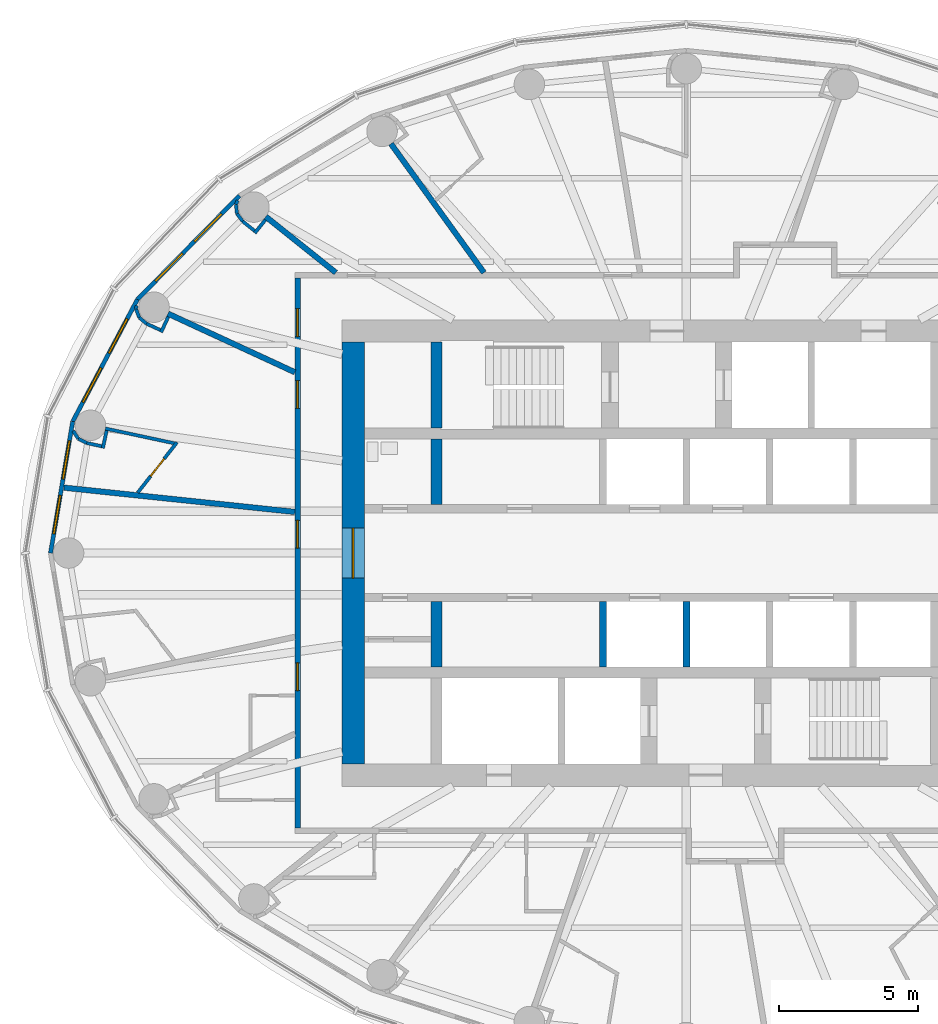
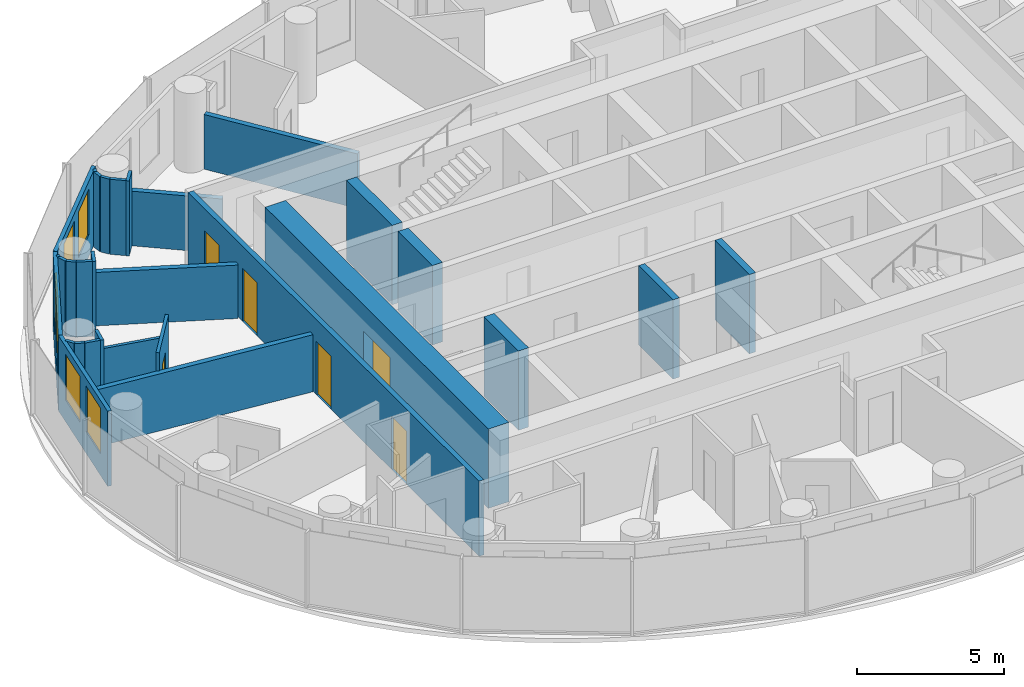
# One storey, part 8 of 14: 30 walls, 6 doors, 6 windows, 12 openings.
"""IFC4 building model written with IfcOpenShell, lengths in metres."""

from ifc_helpers import new_model, si_unit, direction, frame, frame_2d, origin, place, context, subcontext, project, spatial, rectangle, extrude, material, layer, layer_set, type_object, element, fill, save


model = new_model("IFC4")

# Units and contexts
model_context = context("Model", 3, precision=1e-05, world=origin(), true_north=direction((0.0, 1.0)))
body_context = subcontext(model_context, "Body", "Model", "MODEL_VIEW")
ifc_project = project(units=[si_unit("LENGTHUNIT", "METRE"), si_unit("AREAUNIT", "SQUARE_METRE"), si_unit("VOLUMEUNIT", "CUBIC_METRE"), si_unit("PLANEANGLEUNIT", "RADIAN"), si_unit("MASSUNIT", "GRAM", prefix="KILO")], contexts=[model_context])

# Site, building, storey
site_placement = place(None, origin())
site = spatial("IfcSite", under=ifc_project, at=site_placement, CompositionType="ELEMENT")
building_placement = place(site_placement, origin())
building = spatial("IfcBuilding", under=site, at=building_placement, Name="Hankou Lantern Tower", CompositionType="ELEMENT")
storey_placement = place(building_placement, frame((0.0, 0.0, 179.699951171875)))
storey = spatial("IfcBuildingStorey", under=building, at=storey_placement, Name="L48", CompositionType="ELEMENT", Elevation=179.699951171875)

# Wall, opening, door
ifc_material_1 = material(Name="Concrete C60", Category="concrete")
ifc_layer_1 = layer(ifc_material_1, 0.800048828125)
ifc_layer_set_1 = layer_set([ifc_layer_1], Name="Concrete C60")
wall_type_1 = type_object("IfcWallType", Name="CW2 CORE WALL 800", PredefinedType="SHEAR", material=ifc_layer_set_1)
wall_1_placement = place(storey_placement, frame((-12.0, 7.60009765625, 0.0), z_axis=(0.0, 0.0, 1.0), x_axis=(0.0, -1.0, 0.0)))
wall_1 = element("IfcWall", 1, at=wall_1_placement, inside=storey, type_object=wall_type_1, Name="Core wall west L48", PredefinedType="SHEAR", context=body_context, shape_type="SweptSolid", body=[
    extrude(rectangle(XDim=15.2001953125, YDim=0.800048828125, at=frame_2d((7.60009765625, 0.0))), origin(), (0.0, 0.0, 1.0), 3.300048828125),
])
opening_1_placement = place(wall_1_placement, frame((6.699951171875, 0.0, 0.0)))
opening_1 = element("IfcOpeningElement", 2, at=opening_1_placement, cuts=wall_1, Name="Opening D6", PredefinedType="OPENING", context=body_context, shape_type="SweptSolid", body=[
    extrude(rectangle(XDim=1.800048828125, YDim=2.199951171875, at=frame_2d((0.89990234375, 1.10009765625))), frame((0.0, 0.409912109375, 0.0), z_axis=(0.0, -1.0, 0.0), x_axis=(1.0, 0.0, 0.0)), (0.0, 0.0, 1.0), 0.820068359375),
])
ifc_material_2 = material(Name="Steel door leaf", Category="steel")
door_type_1 = type_object("IfcDoorType", Name="D6 LIFT LOBBY DOOR 1800X2200", OperationType="DOUBLE_DOOR_DOUBLE_SWING", PredefinedType="DOOR", material=ifc_material_2)
door_1_placement = place(opening_1_placement, origin())
door_1 = element("IfcDoor", 3, at=door_1_placement, inside=storey, type_object=door_type_1, Name="Lift lobby west door", OperationType="DOUBLE_DOOR_DOUBLE_SWING", OverallHeight=2.199951171875, OverallWidth=1.800048828125, PredefinedType="DOOR", context=body_context, shape_type="SweptSolid", body=[
    extrude(rectangle(XDim=1.800048828125, YDim=2.199951171875, at=frame_2d((0.89990234375, 1.10009765625))), frame((0.0, 0.02490234375, 0.0), z_axis=(0.0, -1.0, 0.0), x_axis=(1.0, 0.0, 0.0)), (0.0, 0.0, 1.0), 0.050048828125),
])
fill(opening_1, door_1)

# Walls
ifc_material_3 = material(Name="Concrete C60", Category="concrete")
ifc_layer_2 = layer(ifc_material_3, 0.39990234375)
ifc_layer_set_2 = layer_set([ifc_layer_2], Name="Concrete C60")
wall_type_2 = type_object("IfcWallType", Name="CW4 CORE CROSS WALL 400", PredefinedType="SHEAR", material=ifc_layer_set_2)
wall_2_placement = place(storey_placement, frame((-9.0, 4.5, 0.0), z_axis=(0.0, 0.0, 1.0), x_axis=(0.0, 1.0, 0.0)))
element("IfcWall", 4, at=wall_2_placement, inside=storey, type_object=wall_type_2, Name="Core strip wall L48", PredefinedType="SHEAR", context=body_context, shape_type="SweptSolid", body=[
    extrude(rectangle(XDim=3.10009765625, YDim=0.39990234375, at=frame_2d((1.550048828125, 0.0))), origin(), (0.0, 0.0, 1.0), 3.300048828125),
])
for number, where, z_axis, x_axis, name in (
    (5, (-9.0, 1.75, 0.0), (0.0, 0.0, 1.0), (0.0, 1.0, 0.0), "Core strip wall L48"),
    (6, (-9.0, -4.10009765625, 0.0), (0.0, 0.0, 1.0), (0.0, 1.0, 0.0), "Core strip wall L48"),
):
    element("IfcWall", number, at=place(storey_placement, frame(where, z_axis=z_axis, x_axis=x_axis)), inside=storey, type_object=wall_type_2, Name=name, PredefinedType="SHEAR", context=body_context, shape_type="SweptSolid", body=[
        extrude(rectangle(XDim=2.35009765625, YDim=0.39990234375, at=frame_2d((1.175048828125, 0.0))), origin(), (0.0, 0.0, 1.0), 3.300048828125),
    ])

# Wall, openings, windows
ifc_material_4 = material(Name="Aluminium spandrel panel on steel studs", Category="steel")
ifc_layer_3 = layer(ifc_material_4, 0.14990234375)
ifc_layer_set_3 = layer_set([ifc_layer_3], Name="Aluminium spandrel panel on steel studs")
wall_type_3 = type_object("IfcWallType", Name="EW1 INNER SKIN WALL 150", PredefinedType="ELEMENTEDWALL", material=ifc_layer_set_3)
wall_3_placement = place(storey_placement, frame((-16.0947265625, 12.875732421875, 0.0), z_axis=(0.0, 0.0, 1.0), x_axis=(-0.700727467776, -0.71342905457, 0.0)))
wall_3 = element("IfcWall", 7, at=wall_3_placement, inside=storey, type_object=wall_type_3, Name="Inner skin R10-R11 L48", PredefinedType="ELEMENTEDWALL", context=body_context, shape_type="SweptSolid", body=[
    extrude(rectangle(XDim=5.247314453125, YDim=0.14990234375, at=frame_2d((2.62353515625, 0.0))), origin(), (0.0, 0.0, 1.0), 3.1201171875),
])
opening_2_placement = place(wall_3_placement, frame((0.923583984375, 0.0, 0.89990234375)))
opening_2 = element("IfcOpeningElement", 8, at=opening_2_placement, cuts=wall_3, Name="Opening W3", PredefinedType="OPENING", context=body_context, shape_type="SweptSolid", body=[
    extrude(rectangle(XDim=1.39990234375, YDim=1.89990234375, at=frame_2d((0.699951171875, 0.949951171875))), frame((0.0, 0.0849609375, 0.0), z_axis=(0.0, -1.0, 0.0), x_axis=(1.0, 0.0, 0.0)), (0.0, 0.0, 1.0), 0.169921875),
])
opening_3_placement = place(wall_3_placement, frame((2.923583984375, 0.0, 0.89990234375)))
opening_3 = element("IfcOpeningElement", 9, at=opening_3_placement, cuts=wall_3, Name="Opening W3", PredefinedType="OPENING", context=body_context, shape_type="SweptSolid", body=[
    extrude(rectangle(XDim=1.39990234375, YDim=1.89990234375, at=frame_2d((0.699951171875, 0.949951171875))), frame((0.0, 0.0849609375, 0.0), z_axis=(0.0, -1.0, 0.0), x_axis=(1.0, 0.0, 0.0)), (0.0, 0.0, 1.0), 0.169921875),
])
ifc_material_5 = material(Name="Aluminium framed double glazed window", Category="aluminium")
window_type = type_object("IfcWindowType", Name="W3 GUEST ROOM WINDOW 1400X1900", PartitioningType="DOUBLE_PANEL_VERTICAL", PredefinedType="WINDOW", material=ifc_material_5)
window_1_placement = place(opening_2_placement, origin())
window_1 = element("IfcWindow", 10, at=window_1_placement, inside=storey, type_object=window_type, Name="Window R10.1 L48", OverallHeight=1.89990234375, OverallWidth=1.39990234375, PartitioningType="SINGLE_PANEL", PredefinedType="WINDOW", context=body_context, shape_type="SweptSolid", body=[
    extrude(rectangle(XDim=1.39990234375, YDim=1.89990234375, at=frame_2d((0.699951171875, 0.949951171875))), frame((0.0, 0.030029296875, 0.0), z_axis=(0.0, -1.0, 0.0), x_axis=(1.0, 0.0, 0.0)), (0.0, 0.0, 1.0), 0.06005859375),
])
fill(opening_2, window_1)
window_2_placement = place(opening_3_placement, origin())
window_2 = element("IfcWindow", 11, at=window_2_placement, inside=storey, type_object=window_type, Name="Window R10.2 L48", OverallHeight=1.89990234375, OverallWidth=1.39990234375, PartitioningType="SINGLE_PANEL", PredefinedType="WINDOW", context=body_context, shape_type="SweptSolid", body=[
    extrude(rectangle(XDim=1.39990234375, YDim=1.89990234375, at=frame_2d((0.699951171875, 0.949951171875))), frame((0.0, 0.030029296875, 0.0), z_axis=(0.0, -1.0, 0.0), x_axis=(1.0, 0.0, 0.0)), (0.0, 0.0, 1.0), 0.06005859375),
])
fill(opening_3, window_2)

wall_4_placement = place(storey_placement, frame((-19.771728515625, 9.132080078125, 0.0), z_axis=(0.0, 0.0, 1.0), x_axis=(-0.468428906714, -0.883501193748, 0.0)))
wall_4 = element("IfcWall", 12, at=wall_4_placement, inside=storey, type_object=wall_type_3, Name="Inner skin R11-R12 L48", PredefinedType="ELEMENTEDWALL", context=body_context, shape_type="SweptSolid", body=[
    extrude(rectangle(XDim=4.9736328125, YDim=0.14990234375, at=frame_2d((2.48681640625, 0.0))), origin(), (0.0, 0.0, 1.0), 3.1201171875),
])
opening_4_placement = place(wall_4_placement, frame((0.786865234375, 0.0, 0.89990234375)))
opening_4 = element("IfcOpeningElement", 13, at=opening_4_placement, cuts=wall_4, Name="Opening W3", PredefinedType="OPENING", context=body_context, shape_type="SweptSolid", body=[
    extrude(rectangle(XDim=1.39990234375, YDim=1.89990234375, at=frame_2d((0.699951171875, 0.949951171875))), frame((0.0, 0.0849609375, 0.0), z_axis=(0.0, -1.0, 0.0), x_axis=(1.0, 0.0, 0.0)), (0.0, 0.0, 1.0), 0.169921875),
])
opening_5_placement = place(wall_4_placement, frame((2.786865234375, 0.0, 0.89990234375)))
opening_5 = element("IfcOpeningElement", 14, at=opening_5_placement, cuts=wall_4, Name="Opening W3", PredefinedType="OPENING", context=body_context, shape_type="SweptSolid", body=[
    extrude(rectangle(XDim=1.39990234375, YDim=1.89990234375, at=frame_2d((0.699951171875, 0.949951171875))), frame((0.0, 0.0849609375, 0.0), z_axis=(0.0, -1.0, 0.0), x_axis=(1.0, 0.0, 0.0)), (0.0, 0.0, 1.0), 0.169921875),
])
window_3_placement = place(opening_4_placement, origin())
window_3 = element("IfcWindow", 15, at=window_3_placement, inside=storey, type_object=window_type, Name="Window R11.1 L48", OverallHeight=1.89990234375, OverallWidth=1.39990234375, PartitioningType="SINGLE_PANEL", PredefinedType="WINDOW", context=body_context, shape_type="SweptSolid", body=[
    extrude(rectangle(XDim=1.39990234375, YDim=1.89990234375, at=frame_2d((0.699951171875, 0.949951171875))), frame((0.0, 0.030029296875, 0.0), z_axis=(0.0, -1.0, 0.0), x_axis=(1.0, 0.0, 0.0)), (0.0, 0.0, 1.0), 0.06005859375),
])
fill(opening_4, window_3)
window_4_placement = place(opening_5_placement, origin())
window_4 = element("IfcWindow", 16, at=window_4_placement, inside=storey, type_object=window_type, Name="Window R11.2 L48", OverallHeight=1.89990234375, OverallWidth=1.39990234375, PartitioningType="SINGLE_PANEL", PredefinedType="WINDOW", context=body_context, shape_type="SweptSolid", body=[
    extrude(rectangle(XDim=1.39990234375, YDim=1.89990234375, at=frame_2d((0.699951171875, 0.949951171875))), frame((0.0, 0.030029296875, 0.0), z_axis=(0.0, -1.0, 0.0), x_axis=(1.0, 0.0, 0.0)), (0.0, 0.0, 1.0), 0.06005859375),
])
fill(opening_5, window_4)

wall_5_placement = place(storey_placement, frame((-22.1015625, 4.73779296875, 0.0), z_axis=(0.0, 0.0, 1.0), x_axis=(-0.166162111254, -0.986098449843, 0.0)))
wall_5 = element("IfcWall", 17, at=wall_5_placement, inside=storey, type_object=wall_type_3, Name="Inner skin R12-R13 L48", PredefinedType="ELEMENTEDWALL", context=body_context, shape_type="SweptSolid", body=[
    extrude(rectangle(XDim=4.8046875, YDim=0.14990234375, at=frame_2d((2.40234375, 0.0))), origin(), (0.0, 0.0, 1.0), 3.1201171875),
])
opening_6_placement = place(wall_5_placement, frame((0.7021484375, 0.0, 0.89990234375)))
opening_6 = element("IfcOpeningElement", 18, at=opening_6_placement, cuts=wall_5, Name="Opening W3", PredefinedType="OPENING", context=body_context, shape_type="SweptSolid", body=[
    extrude(rectangle(XDim=1.39990234375, YDim=1.89990234375, at=frame_2d((0.699951171875, 0.949951171875))), frame((0.0, 0.0849609375, 0.0), z_axis=(0.0, -1.0, 0.0), x_axis=(1.0, 0.0, 0.0)), (0.0, 0.0, 1.0), 0.169921875),
])
opening_7_placement = place(wall_5_placement, frame((2.7021484375, 0.0, 0.89990234375)))
opening_7 = element("IfcOpeningElement", 19, at=opening_7_placement, cuts=wall_5, Name="Opening W3", PredefinedType="OPENING", context=body_context, shape_type="SweptSolid", body=[
    extrude(rectangle(XDim=1.39990234375, YDim=1.89990234375, at=frame_2d((0.699951171875, 0.949951171875))), frame((0.0, 0.0849609375, 0.0), z_axis=(0.0, -1.0, 0.0), x_axis=(1.0, 0.0, 0.0)), (0.0, 0.0, 1.0), 0.169921875),
])
window_5_placement = place(opening_6_placement, origin())
window_5 = element("IfcWindow", 20, at=window_5_placement, inside=storey, type_object=window_type, Name="Window R12.1 L48", OverallHeight=1.89990234375, OverallWidth=1.39990234375, PartitioningType="SINGLE_PANEL", PredefinedType="WINDOW", context=body_context, shape_type="SweptSolid", body=[
    extrude(rectangle(XDim=1.39990234375, YDim=1.89990234375, at=frame_2d((0.699951171875, 0.949951171875))), frame((0.0, 0.030029296875, 0.0), z_axis=(0.0, -1.0, 0.0), x_axis=(1.0, 0.0, 0.0)), (0.0, 0.0, 1.0), 0.06005859375),
])
fill(opening_6, window_5)
window_6_placement = place(opening_7_placement, origin())
window_6 = element("IfcWindow", 21, at=window_6_placement, inside=storey, type_object=window_type, Name="Window R12.2 L48", OverallHeight=1.89990234375, OverallWidth=1.39990234375, PartitioningType="SINGLE_PANEL", PredefinedType="WINDOW", context=body_context, shape_type="SweptSolid", body=[
    extrude(rectangle(XDim=1.39990234375, YDim=1.89990234375, at=frame_2d((0.699951171875, 0.949951171875))), frame((0.0, 0.030029296875, 0.0), z_axis=(0.0, -1.0, 0.0), x_axis=(1.0, 0.0, 0.0)), (0.0, 0.0, 1.0), 0.06005859375),
])
fill(opening_7, window_6)

# Wall
ifc_material_6 = material(Name="Masonry lightweight concrete block", Category="masonry")
ifc_layer_4 = layer(ifc_material_6, 0.199951171875)
ifc_layer_set_4 = layer_set([ifc_layer_4], Name="Masonry lightweight concrete block")
wall_type_4 = type_object("IfcWallType", Name="IW1 GUEST ROOM PARTY WALL 200", PredefinedType="PARTITIONING", material=ifc_layer_set_4)
wall_6_placement = place(storey_placement, frame((-14.10009765625, 1.4814453125, 0.0), z_axis=(0.0, 0.0, 1.0), x_axis=(-0.994524794819, 0.104500873159, 0.0)))
element("IfcWall", 22, at=wall_6_placement, inside=storey, type_object=wall_type_4, Name="Party wall R12-R13", PredefinedType="PARTITIONING", context=body_context, shape_type="SweptSolid", body=[
    extrude(rectangle(XDim=8.361572265625, YDim=0.199951171875, at=frame_2d((4.1806640625, 0.0))), origin(), (0.0, 0.0, 1.0), 2.3701171875),
])

# Wall, openings, doors
ifc_material_7 = material(Name="Masonry lightweight concrete block", Category="masonry")
ifc_layer_5 = layer(ifc_material_7, 0.199951171875)
ifc_layer_set_5 = layer_set([ifc_layer_5], Name="Masonry lightweight concrete block")
wall_type_5 = type_object("IfcWallType", Name="IW2 CORRIDOR WALL 200", PredefinedType="PARTITIONING", material=ifc_layer_set_5)
wall_7_placement = place(storey_placement, frame((-14.0, 9.89990234375, 0.0), z_axis=(0.0, 0.0, 1.0), x_axis=(0.0, -1.0, 0.0)))
wall_7 = element("IfcWall", 23, at=wall_7_placement, inside=storey, type_object=wall_type_5, Name="Corridor wall west", PredefinedType="PARTITIONING", context=body_context, shape_type="SweptSolid", body=[
    extrude(rectangle(XDim=19.7998046875, YDim=0.199951171875, at=frame_2d((9.89990234375, 0.0))), origin(), (0.0, 0.0, 1.0), 3.1201171875),
])
opening_8_placement = place(wall_7_placement, frame((13.8525390625, 0.0, 0.0)))
opening_8 = element("IfcOpeningElement", 24, at=opening_8_placement, cuts=wall_7, Name="Opening D2", PredefinedType="OPENING", context=body_context, shape_type="SweptSolid", body=[
    extrude(rectangle(XDim=1.0, YDim=2.199951171875, at=frame_2d((0.5, 1.10009765625))), frame((0.0, 0.10986328125, 0.0), z_axis=(0.0, -1.0, 0.0), x_axis=(1.0, 0.0, 0.0)), (0.0, 0.0, 1.0), 0.219970703125),
])
opening_9_placement = place(wall_7_placement, frame((1.10009765625, 0.0, 0.0)))
opening_9 = element("IfcOpeningElement", 25, at=opening_9_placement, cuts=wall_7, Name="Opening D28", PredefinedType="OPENING", context=body_context, shape_type="SweptSolid", body=[
    extrude(rectangle(XDim=1.0, YDim=2.199951171875, at=frame_2d((0.5, 1.10009765625))), frame((0.0, 0.10986328125, 0.0), z_axis=(0.0, -1.0, 0.0), x_axis=(1.0, 0.0, 0.0)), (0.0, 0.0, 1.0), 0.219970703125),
])
opening_10_placement = place(wall_7_placement, frame((3.6875, 0.0, 0.0)))
opening_10 = element("IfcOpeningElement", 26, at=opening_10_placement, cuts=wall_7, Name="Opening D1", PredefinedType="OPENING", context=body_context, shape_type="SweptSolid", body=[
    extrude(rectangle(XDim=1.0, YDim=2.199951171875, at=frame_2d((0.5, 1.10009765625))), frame((0.0, 0.10986328125, 0.0), z_axis=(0.0, -1.0, 0.0), x_axis=(1.0, 0.0, 0.0)), (0.0, 0.0, 1.0), 0.219970703125),
])
opening_11_placement = place(wall_7_placement, frame((8.718505859375, 0.0, 0.0)))
opening_11 = element("IfcOpeningElement", 27, at=opening_11_placement, cuts=wall_7, Name="Opening D1", PredefinedType="OPENING", context=body_context, shape_type="SweptSolid", body=[
    extrude(rectangle(XDim=1.0, YDim=2.199951171875, at=frame_2d((0.5, 1.10009765625))), frame((0.0, 0.10986328125, 0.0), z_axis=(0.0, -1.0, 0.0), x_axis=(1.0, 0.0, 0.0)), (0.0, 0.0, 1.0), 0.219970703125),
])
ifc_material_8 = material(Name="Steel door leaf", Category="steel")
door_type_2 = type_object("IfcDoorType", Name="D1 GUEST ROOM DOOR 1000X2200", OperationType="SINGLE_SWING_LEFT", PredefinedType="DOOR", material=ifc_material_8)
door_2_placement = place(opening_10_placement, origin())
door_2 = element("IfcDoor", 28, at=door_2_placement, inside=storey, type_object=door_type_2, Name="Guest room door 4813", OperationType="SINGLE_SWING_LEFT", OverallHeight=2.199951171875, OverallWidth=1.0, PredefinedType="DOOR", context=body_context, shape_type="SweptSolid", body=[
    extrude(rectangle(XDim=1.0, YDim=2.199951171875, at=frame_2d((0.5, 1.10009765625))), frame((0.0, 0.02490234375, 0.0), z_axis=(0.0, -1.0, 0.0), x_axis=(1.0, 0.0, 0.0)), (0.0, 0.0, 1.0), 0.050048828125),
])
fill(opening_10, door_2)
door_3_placement = place(opening_11_placement, origin())
door_3 = element("IfcDoor", 29, at=door_3_placement, inside=storey, type_object=door_type_2, Name="Guest room door 4814", OperationType="SINGLE_SWING_LEFT", OverallHeight=2.199951171875, OverallWidth=1.0, PredefinedType="DOOR", context=body_context, shape_type="SweptSolid", body=[
    extrude(rectangle(XDim=1.0, YDim=2.199951171875, at=frame_2d((0.5, 1.10009765625))), frame((0.0, 0.02490234375, 0.0), z_axis=(0.0, -1.0, 0.0), x_axis=(1.0, 0.0, 0.0)), (0.0, 0.0, 1.0), 0.050048828125),
])
fill(opening_11, door_3)
ifc_material_9 = material(Name="Steel door leaf", Category="steel")
door_type_3 = type_object("IfcDoorType", Name="D2 SUITE DOOR 1000X2200", OperationType="SINGLE_SWING_LEFT", PredefinedType="DOOR", material=ifc_material_9)
door_4_placement = place(opening_8_placement, origin())
door_4 = element("IfcDoor", 30, at=door_4_placement, inside=storey, type_object=door_type_3, Name="Suite door 4801C", OperationType="SINGLE_SWING_RIGHT", OverallHeight=2.199951171875, OverallWidth=1.0, PredefinedType="DOOR", context=body_context, shape_type="SweptSolid", body=[
    extrude(rectangle(XDim=1.0, YDim=2.199951171875, at=frame_2d((0.5, 1.10009765625))), frame((0.0, 0.02490234375, 0.0), z_axis=(0.0, -1.0, 0.0), x_axis=(1.0, 0.0, 0.0)), (0.0, 0.0, 1.0), 0.050048828125),
])
fill(opening_8, door_4)
ifc_material_10 = material(Name="Steel door leaf", Category="steel")
door_type_4 = type_object("IfcDoorType", Name="D28 SERVICE DOOR 1000X2200", OperationType="SINGLE_SWING_LEFT", PredefinedType="DOOR", material=ifc_material_10)
door_5_placement = place(opening_9_placement, origin())
door_5 = element("IfcDoor", 31, at=door_5_placement, inside=storey, type_object=door_type_4, Name="Service door 4812", OperationType="SINGLE_SWING_LEFT", OverallHeight=2.199951171875, OverallWidth=1.0, PredefinedType="DOOR", context=body_context, shape_type="SweptSolid", body=[
    extrude(rectangle(XDim=1.0, YDim=2.199951171875, at=frame_2d((0.5, 1.10009765625))), frame((0.0, 0.02490234375, 0.0), z_axis=(0.0, -1.0, 0.0), x_axis=(1.0, 0.0, 0.0)), (0.0, 0.0, 1.0), 0.050048828125),
])
fill(opening_9, door_5)

# Wall, opening, door
ifc_material_11 = material(Name="Masonry lightweight concrete block", Category="masonry")
ifc_layer_6 = layer(ifc_material_11, 0.1201171875)
ifc_layer_set_6 = layer_set([ifc_layer_6], Name="Masonry lightweight concrete block")
wall_type_6 = type_object("IfcWallType", Name="IW3 BATHROOM WALL 120", PredefinedType="PARTITIONING", material=ifc_layer_set_6)
wall_8_placement = place(storey_placement, frame((-19.757568359375, 2.176513671875, 0.0), z_axis=(0.0, 0.0, 1.0), x_axis=(0.614713147302, 0.788750750576, 0.0)))
wall_8 = element("IfcWall", 32, at=wall_8_placement, inside=storey, type_object=wall_type_6, Name="Box wall 4813 1", PredefinedType="PARTITIONING", context=body_context, shape_type="SweptSolid", body=[
    extrude(rectangle(XDim=2.29638671875, YDim=0.1201171875, at=frame_2d((1.148193359375, 0.0))), origin(), (0.0, 0.0, 1.0), 3.1201171875),
])
opening_12_placement = place(wall_8_placement, frame((0.748291015625, 0.0, 0.0)))
opening_12 = element("IfcOpeningElement", 33, at=opening_12_placement, cuts=wall_8, Name="Opening D3", PredefinedType="OPENING", context=body_context, shape_type="SweptSolid", body=[
    extrude(rectangle(XDim=0.800048828125, YDim=2.10009765625, at=frame_2d((0.39990234375, 1.050048828125))), frame((0.0, 0.070068359375, 0.0), z_axis=(0.0, -1.0, 0.0), x_axis=(1.0, 0.0, 0.0)), (0.0, 0.0, 1.0), 0.14013671875),
])
ifc_material_12 = material(Name="Timber door leaf", Category="wood")
door_type_5 = type_object("IfcDoorType", Name="D3 BATHROOM DOOR 800X2100", OperationType="SINGLE_SWING_LEFT", PredefinedType="DOOR", material=ifc_material_12)
door_6_placement = place(opening_12_placement, origin())
door_6 = element("IfcDoor", 34, at=door_6_placement, inside=storey, type_object=door_type_5, Name="En-suite bathroom 4813 door", OperationType="SINGLE_SWING_RIGHT", OverallHeight=2.10009765625, OverallWidth=0.800048828125, PredefinedType="DOOR", context=body_context, shape_type="SweptSolid", body=[
    extrude(rectangle(XDim=0.800048828125, YDim=2.10009765625, at=frame_2d((0.39990234375, 1.050048828125))), frame((0.0, 0.02490234375, 0.0), z_axis=(0.0, -1.0, 0.0), x_axis=(1.0, 0.0, 0.0)), (0.0, 0.0, 1.0), 0.050048828125),
])
fill(opening_12, door_6)

# Walls
wall_9_placement = place(storey_placement, frame((-18.44140625, 3.953125, 0.0), z_axis=(0.0, 0.0, 1.0), x_axis=(-0.977801007461, 0.209535652833, 0.0)))
element("IfcWall", 35, at=wall_9_placement, inside=storey, type_object=wall_type_6, Name="Box wall 4813 2", PredefinedType="PARTITIONING", context=body_context, shape_type="SweptSolid", body=[
    extrude(rectangle(XDim=2.5400390625, YDim=0.1201171875, at=frame_2d((1.27001953125, 0.0))), origin(), (0.0, 0.0, 1.0), 2.27001953125),
])
wall_10_placement = place(storey_placement, frame((-20.87890625, 4.414306640625, 0.0), z_axis=(0.0, 0.0, 1.0), x_axis=(-0.209554644104, -0.977796937577, 0.0)))
element("IfcWall", 36, at=wall_10_placement, inside=storey, type_object=wall_type_6, Name="Column casing 4813 return", PredefinedType="PARTITIONING", context=body_context, shape_type="SweptSolid", body=[
    extrude(rectangle(XDim=0.65234375, YDim=0.1201171875, at=frame_2d((0.326171875, 0.0))), origin(), (0.0, 0.0, 1.0), 3.1201171875),
])
wall_11_placement = place(storey_placement, frame((-21.061767578125, 3.84765625, 0.0), z_axis=(0.0, 0.0, 1.0), x_axis=(-0.977789415726, 0.209589738521, 0.0)))
element("IfcWall", 37, at=wall_11_placement, inside=storey, type_object=wall_type_6, Name="Column casing 4813", PredefinedType="PARTITIONING", context=body_context, shape_type="SweptSolid", body=[
    extrude(rectangle(XDim=0.5498046875, YDim=0.1201171875, at=frame_2d((0.27490234375, 0.0))), origin(), (0.0, 0.0, 1.0), 3.1201171875),
])
wall_12_placement = place(storey_placement, frame((-21.599365234375, 3.962890625, 0.0), z_axis=(0.0, 0.0, 1.0), x_axis=(-0.890193602875, 0.455582428766, 0.0)))
element("IfcWall", 38, at=wall_12_placement, inside=storey, type_object=wall_type_6, Name="Column casing 4813", PredefinedType="PARTITIONING", context=body_context, shape_type="SweptSolid", body=[
    extrude(rectangle(XDim=0.337646484375, YDim=0.1201171875, at=frame_2d((0.1689453125, 0.0))), origin(), (0.0, 0.0, 1.0), 3.1201171875),
])
wall_13_placement = place(storey_placement, frame((-21.89990234375, 4.11669921875, 0.0), z_axis=(0.0, 0.0, 1.0), x_axis=(-0.543582688681, 0.839355622228, 0.0)))
element("IfcWall", 39, at=wall_13_placement, inside=storey, type_object=wall_type_6, Name="Column casing 4813", PredefinedType="PARTITIONING", context=body_context, shape_type="SweptSolid", body=[
    extrude(rectangle(XDim=0.3359375, YDim=0.1201171875, at=frame_2d((0.16796875, 0.0))), origin(), (0.0, 0.0, 1.0), 3.1201171875),
])
ifc_material_13 = material(Name="Masonry lightweight concrete block", Category="masonry")
ifc_layer_7 = layer(ifc_material_13, 0.1201171875)
ifc_layer_set_7 = layer_set([ifc_layer_7], Name="Masonry lightweight concrete block")
wall_type_7 = type_object("IfcWallType", Name="IW4 PARTITION 120", PredefinedType="PARTITIONING", material=ifc_layer_set_7)
wall_14_placement = place(storey_placement, frame((-15.162353515625, 12.001708984375, 0.0), z_axis=(0.0, 0.0, 1.0), x_axis=(-0.624597762427, -0.780946627607, 0.0)))
element("IfcWall", 40, at=wall_14_placement, inside=storey, type_object=wall_type_7, Name="Column casing R10 return", PredefinedType="PARTITIONING", context=body_context, shape_type="SweptSolid", body=[
    extrude(rectangle(XDim=0.612060546875, YDim=0.1201171875, at=frame_2d((0.30615234375, 0.0))), origin(), (0.0, 0.0, 1.0), 3.1201171875),
])
wall_15_placement = place(storey_placement, frame((-15.55419921875, 11.60791015625, 0.0), z_axis=(0.0, 0.0, 1.0), x_axis=(-0.780695577787, 0.624911525597, 0.0)))
element("IfcWall", 41, at=wall_15_placement, inside=storey, type_object=wall_type_7, Name="Column casing R10", PredefinedType="PARTITIONING", context=body_context, shape_type="SweptSolid", body=[
    extrude(rectangle(XDim=0.550048828125, YDim=0.1201171875, at=frame_2d((0.27490234375, 0.0))), origin(), (0.0, 0.0, 1.0), 3.1201171875),
])
wall_16_placement = place(storey_placement, frame((-15.983642578125, 11.95166015625, 0.0), z_axis=(0.0, 0.0, 1.0), x_axis=(-0.592335221171, 0.805691619517, 0.0)))
element("IfcWall", 42, at=wall_16_placement, inside=storey, type_object=wall_type_7, Name="Column casing R10", PredefinedType="PARTITIONING", context=body_context, shape_type="SweptSolid", body=[
    extrude(rectangle(XDim=0.337646484375, YDim=0.1201171875, at=frame_2d((0.1689453125, 0.0))), origin(), (0.0, 0.0, 1.0), 3.1201171875),
])
wall_17_placement = place(storey_placement, frame((-16.18359375, 12.2236328125, 0.0), z_axis=(0.0, 0.0, 1.0), x_axis=(-0.110669692975, 0.993857242795, 0.0)))
element("IfcWall", 43, at=wall_17_placement, inside=storey, type_object=wall_type_7, Name="Column casing R10", PredefinedType="PARTITIONING", context=body_context, shape_type="SweptSolid", body=[
    extrude(rectangle(XDim=0.33740234375, YDim=0.1201171875, at=frame_2d((0.168701171875, 0.0))), origin(), (0.0, 0.0, 1.0), 3.1201171875),
])
wall_18_placement = place(storey_placement, frame((-16.220947265625, 12.55908203125, 0.0), z_axis=(0.0, 0.0, 1.0), x_axis=(0.401064416249, 0.916049853457, 0.0)))
element("IfcWall", 44, at=wall_18_placement, inside=storey, type_object=wall_type_7, Name="Column casing R10", PredefinedType="PARTITIONING", context=body_context, shape_type="SweptSolid", body=[
    extrude(rectangle(XDim=0.156494140625, YDim=0.1201171875, at=frame_2d((0.078125, 0.0))), origin(), (0.0, 0.0, 1.0), 3.1201171875),
])
wall_19_placement = place(storey_placement, frame((-18.660400390625, 8.5087890625, 0.0), z_axis=(0.0, 0.0, 1.0), x_axis=(-0.419083463716, -0.907947713494, 0.0)))
element("IfcWall", 45, at=wall_19_placement, inside=storey, type_object=wall_type_7, Name="Column casing R11 return", PredefinedType="PARTITIONING", context=body_context, shape_type="SweptSolid", body=[
    extrude(rectangle(XDim=0.6123046875, YDim=0.1201171875, at=frame_2d((0.30615234375, 0.0))), origin(), (0.0, 0.0, 1.0), 3.1201171875),
])
wall_20_placement = place(storey_placement, frame((-18.9462890625, 8.032470703125, 0.0), z_axis=(0.0, 0.0, 1.0), x_axis=(-0.907842467956, 0.419311403822, 0.0)))
element("IfcWall", 46, at=wall_20_placement, inside=storey, type_object=wall_type_7, Name="Column casing R11", PredefinedType="PARTITIONING", context=body_context, shape_type="SweptSolid", body=[
    extrude(rectangle(XDim=0.55029296875, YDim=0.1201171875, at=frame_2d((0.275146484375, 0.0))), origin(), (0.0, 0.0, 1.0), 3.1201171875),
])
wall_21_placement = place(storey_placement, frame((-19.44580078125, 8.26318359375, 0.0), z_axis=(0.0, 0.0, 1.0), x_axis=(-0.768221279597, 0.640184399664, 0.0)))
element("IfcWall", 47, at=wall_21_placement, inside=storey, type_object=wall_type_7, Name="Column casing R11", PredefinedType="PARTITIONING", context=body_context, shape_type="SweptSolid", body=[
    extrude(rectangle(XDim=0.33740234375, YDim=0.1201171875, at=frame_2d((0.168701171875, 0.0))), origin(), (0.0, 0.0, 1.0), 3.1201171875),
])
wall_22_placement = place(storey_placement, frame((-19.705078125, 8.479248046875, 0.0), z_axis=(0.0, 0.0, 1.0), x_axis=(-0.345571344575, 0.938392479621, 0.0)))
element("IfcWall", 48, at=wall_22_placement, inside=storey, type_object=wall_type_7, Name="Column casing R11", PredefinedType="PARTITIONING", context=body_context, shape_type="SweptSolid", body=[
    extrude(rectangle(XDim=0.337646484375, YDim=0.1201171875, at=frame_2d((0.1689453125, 0.0))), origin(), (0.0, 0.0, 1.0), 3.1201171875),
])
wall_23_placement = place(storey_placement, frame((-19.82177734375, 8.796142578125, 0.0), z_axis=(0.0, 0.0, 1.0), x_axis=(0.169701508781, 0.985495508827, 0.0)))
element("IfcWall", 49, at=wall_23_placement, inside=storey, type_object=wall_type_7, Name="Column casing R11", PredefinedType="PARTITIONING", context=body_context, shape_type="SweptSolid", body=[
    extrude(rectangle(XDim=0.119384765625, YDim=0.1201171875, at=frame_2d((0.0595703125, 0.0))), origin(), (0.0, 0.0, 1.0), 3.1201171875),
])
ifc_material_14 = material(Name="Masonry lightweight concrete block", Category="masonry")
ifc_layer_8 = layer(ifc_material_14, 0.199951171875)
ifc_layer_set_8 = layer_set([ifc_layer_8], Name="Masonry lightweight concrete block")
wall_type_8 = type_object("IfcWallType", Name="IW8 PARTITION 200", PredefinedType="PARTITIONING", material=ifc_layer_set_8)
wall_24_placement = place(storey_placement, frame((-7.2890625, 10.10009765625, 0.0), z_axis=(0.0, 0.0, 1.0), x_axis=(-0.585222595178, 0.810872686735, 0.0)))
element("IfcWall", 50, at=wall_24_placement, inside=storey, type_object=wall_type_8, Name="Partition R09", PredefinedType="PARTITIONING", context=body_context, shape_type="SweptSolid", body=[
    extrude(rectangle(XDim=5.722412109375, YDim=0.199951171875, at=frame_2d((2.861328125, 0.0))), origin(), (0.0, 0.0, 1.0), 2.27001953125),
])
wall_25_placement = place(storey_placement, frame((-12.625, 10.10009765625, 0.0), z_axis=(0.0, 0.0, 1.0), x_axis=(-0.780876185034, 0.624685827954, 0.0)))
element("IfcWall", 51, at=wall_25_placement, inside=storey, type_object=wall_type_8, Name="Partition R10", PredefinedType="PARTITIONING", context=body_context, shape_type="SweptSolid", body=[
    extrude(rectangle(XDim=3.229248046875, YDim=0.199951171875, at=frame_2d((1.61474609375, 0.0))), origin(), (0.0, 0.0, 1.0), 2.27001953125),
])
wall_26_placement = place(storey_placement, frame((-14.10009765625, 6.512451171875, 0.0), z_axis=(0.0, 0.0, 1.0), x_axis=(-0.907823150669, 0.419353224751, 0.0)))
element("IfcWall", 52, at=wall_26_placement, inside=storey, type_object=wall_type_8, Name="Partition R11", PredefinedType="PARTITIONING", context=body_context, shape_type="SweptSolid", body=[
    extrude(rectangle(XDim=5.037109375, YDim=0.199951171875, at=frame_2d((2.5185546875, 0.0))), origin(), (0.0, 0.0, 1.0), 2.219970703125),
])
ifc_material_15 = material(Name="Masonry autoclaved aerated concrete block", Category="masonry")
ifc_layer_9 = layer(ifc_material_15, 0.25)
ifc_layer_set_9 = layer_set([ifc_layer_9], Name="Masonry autoclaved aerated concrete block")
wall_type_9 = type_object("IfcWallType", Name="SW1 SHAFT BLOCK WALL 250", PredefinedType="PARTITIONING", material=ifc_layer_set_9)
for number, where, z_axis, x_axis, name in (
    (53, (-3.0, -4.10009765625, 0.0), (0.0, 0.0, 1.0), (0.0, 1.0, 0.0), "Lift shaft wall L48"),
    (54, (0.0, -4.10009765625, 0.0), (0.0, 0.0, 1.0), (0.0, 1.0, 0.0), "Lift shaft wall L48"),
):
    element("IfcWall", number, at=place(storey_placement, frame(where, z_axis=z_axis, x_axis=x_axis)), inside=storey, type_object=wall_type_9, Name=name, PredefinedType="PARTITIONING", context=body_context, shape_type="SweptSolid", body=[
        extrude(rectangle(XDim=2.35009765625, YDim=0.25, at=frame_2d((1.175048828125, 0.0))), origin(), (0.0, 0.0, 1.0), 3.300048828125),
    ])

save(model, "model.ifc")
